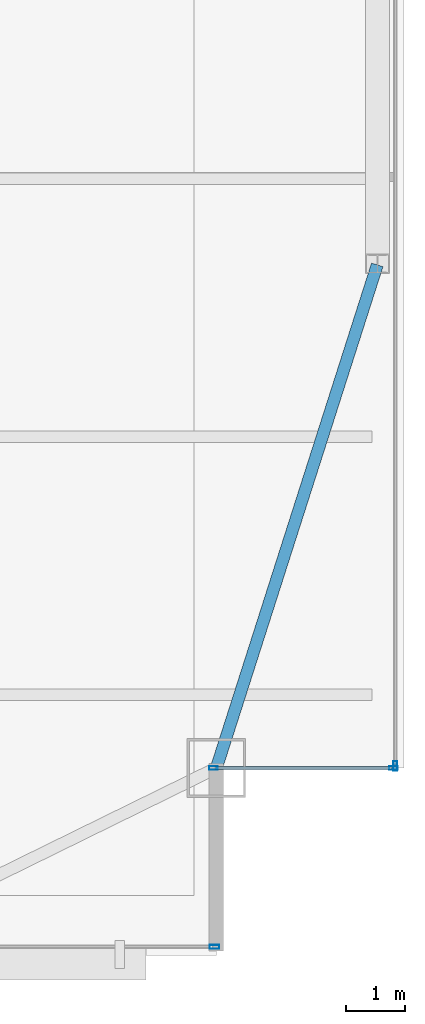
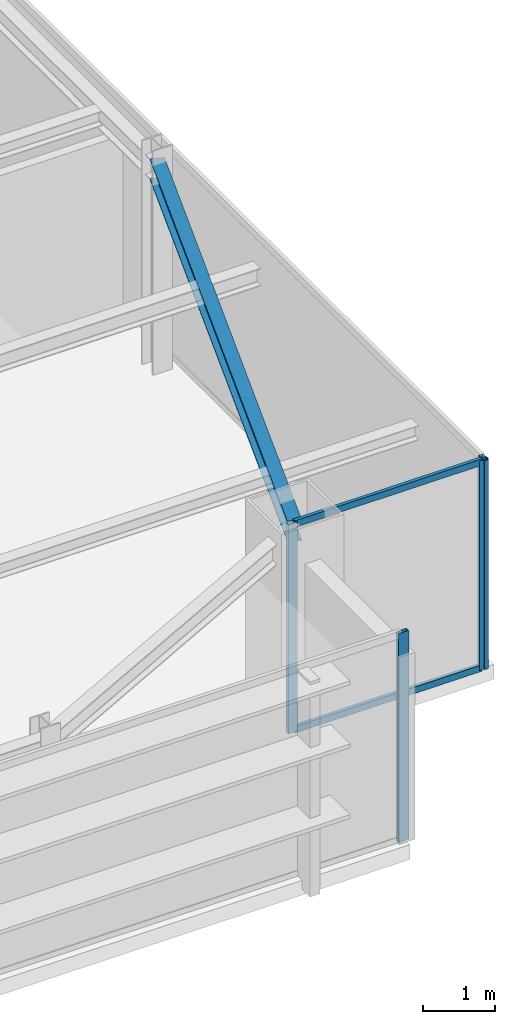
# One storey, part 14 of 24: 6 members, 1 beam, 3 elements without a shape of their own.
"""IFC4 building model written with IfcOpenShell, lengths in metres."""

from ifc_helpers import new_model, si_unit, direction, frame, origin, origin_2d, place, context, subcontext, project, spatial, hollow_rectangle, i_section, extrude, source, transform, mapped, material, layer, layer_set, material_profile, profile_set, type_object, type_shapes, element, aggregate, save


model = new_model("IFC4")

# Units and contexts
model_context = context("Model", 3, precision=1e-05, world=origin(), true_north=direction((0.0, 1.0)))
body_context = subcontext(model_context, "Body", "Model", "MODEL_VIEW")
ifc_project = project(units=[si_unit("LENGTHUNIT", "METRE"), si_unit("AREAUNIT", "SQUARE_METRE"), si_unit("VOLUMEUNIT", "CUBIC_METRE"), si_unit("PLANEANGLEUNIT", "RADIAN"), si_unit("MASSUNIT", "GRAM", prefix="KILO")], contexts=[model_context])

# Site, building, storey
site_placement = place(None, origin())
site = spatial("IfcSite", under=ifc_project, at=site_placement, CompositionType="ELEMENT")
building_placement = place(site_placement, origin())
building = spatial("IfcBuilding", under=site, at=building_placement, Name="Varnel Quay Broadcast Tower", CompositionType="ELEMENT")
storey_placement = place(building_placement, frame((0.0, 0.0, 277.39990234375)))
storey = spatial("IfcBuildingStorey", under=building, at=storey_placement, Name="L69", CompositionType="ELEMENT", Elevation=277.39990234375)

# Beam
ifc_material_1 = material(Name="Structural Steel CSA G40.21 350W", Category="steel")
ifc_material_profile_1 = material_profile(ifc_material_1, i_section(OverallWidth=0.205078125, OverallDepth=0.35400390625, WebThickness=0.009521484375, FlangeThickness=0.016845703125, FilletRadius=0.012939453125, at=origin_2d()), Name="W360X79")
ifc_profile_set_1 = profile_set([ifc_material_profile_1], Name="Structural Steel CSA G40.21 350W")
beam_type = type_object("IfcBeamType", Name="Beam_W360X79", PredefinedType="SPANDREL", material=ifc_profile_set_1)
shared_shape_1 = source(origin(), body_context, "Body", "SweptSolid", [
    extrude(i_section(OverallWidth=0.205078125, OverallDepth=0.35400390625, WebThickness=0.009521484375, FlangeThickness=0.016845703125, FilletRadius=0.012939453125, at=origin_2d()), origin(), (0.0, 0.0, 1.0), 8.989013671875),
])
type_shapes(beam_type, [shared_shape_1])
beam_placement = place(storey_placement, frame((52.80615234375, 16.4189453125, 3.373046875), z_axis=(0.304568770162, 0.952490348635, 0.0), x_axis=(-0.952490348635, 0.304568770162, 0.0)))
element("IfcBeam", 1, at=beam_placement, inside=storey, type_object=beam_type, Name="L69 East Spandrel MC-SE-TC-E1", PredefinedType="SPANDREL", context=body_context, shape_type="MappedRepresentation", body=[
    mapped(shared_shape_1, transform((0.0, 0.0, 0.0), x_axis=(1.0, 0.0, 0.0), y_axis=(0.0, 1.0, 0.0), z_axis=(0.0, 0.0, 1.0), scale=1.0)),
])

# Curtain wall, members
ifc_material_2 = material(Name="Anodised Bronze Aluminium 6063-T6", Category="aluminium")
ifc_layer_1 = layer(ifc_material_2, 0.18994140625, Name="Anodised Bronze Aluminium 6063-T6")
ifc_layer_set_1 = layer_set([ifc_layer_1], Name="Anodised Bronze Aluminium 6063-T6")
curtain_wall_type_1 = type_object("IfcCurtainWallType", Name="CW_NotchCorner", PredefinedType="NOTDEFINED", material=ifc_layer_set_1)
curtain_wall_1_placement = place(storey_placement, origin())
curtain_wall_1 = element("IfcCurtainWall", 2, at=curtain_wall_1_placement, inside=storey, type_object=curtain_wall_type_1, Name="L69 SE Notch Curtain Wall", PredefinedType="NOTDEFINED")
ifc_material_profile_2 = material_profile(ifc_material_2, hollow_rectangle(XDim=0.06005859375, YDim=0.14501953125, WallThickness=0.00341796875, at=origin_2d()), Name="ALU60X145X3.5")
ifc_profile_set_2 = profile_set([ifc_material_profile_2], Name="Anodised Bronze Aluminium 6063-T6")
member_type_1 = type_object("IfcMemberType", Name="Mull_CWS-04", PredefinedType="MULLION", material=ifc_profile_set_2)
shared_shape_2 = source(origin(), body_context, "Body", "SweptSolid", [
    extrude(hollow_rectangle(XDim=0.06005859375, YDim=0.14501953125, WallThickness=0.00341796875, at=origin_2d()), origin(), (0.0, 0.0, 1.0), 3.550048828125),
])
type_shapes(member_type_1, [shared_shape_2])
member_1_placement = place(storey_placement, frame((52.75, 16.39990234375, 0.0), z_axis=(0.0, 0.0, 1.0), x_axis=(0.0, 1.0, 0.0)))
member_1 = element("IfcMember", 3, at=member_1_placement, type_object=member_type_1, Name="CWS-04 mullion 1", PredefinedType="MULLION", context=body_context, shape_type="MappedRepresentation", body=[
    mapped(shared_shape_2, transform((0.0, 0.0, 0.0), x_axis=(1.0, 0.0, 0.0), y_axis=(0.0, 1.0, 0.0), z_axis=(0.0, 0.0, 1.0), scale=1.0)),
])
member_2_placement = place(storey_placement, frame((55.820068359375, 16.39990234375, 0.0), z_axis=(0.0, 0.0, 1.0), x_axis=(0.0, 1.0, 0.0)))
member_2 = element("IfcMember", 4, at=member_2_placement, type_object=member_type_1, Name="CWS-04 mullion 2", PredefinedType="MULLION", context=body_context, shape_type="MappedRepresentation", body=[
    mapped(shared_shape_2, transform((0.0, 0.0, 0.0), x_axis=(1.0, 0.0, 0.0), y_axis=(0.0, 1.0, 0.0), z_axis=(0.0, 0.0, 1.0), scale=1.0)),
])

# Curtain wall, member
ifc_layer_2 = layer(ifc_material_2, 0.18994140625, Name="Anodised Bronze Aluminium 6063-T6")
ifc_layer_set_2 = layer_set([ifc_layer_2], Name="Anodised Bronze Aluminium 6063-T6")
curtain_wall_type_2 = type_object("IfcCurtainWallType", Name="CW_UpperTower", PredefinedType="NOTDEFINED", material=ifc_layer_set_2)
curtain_wall_2_placement = place(storey_placement, origin())
curtain_wall_2 = element("IfcCurtainWall", 5, at=curtain_wall_2_placement, inside=storey, type_object=curtain_wall_type_2, Name="L69 South Unitised Curtain Wall 1", PredefinedType="NOTDEFINED")
ifc_material_profile_3 = material_profile(ifc_material_2, hollow_rectangle(XDim=0.06494140625, YDim=0.1650390625, WallThickness=0.00341796875, at=origin_2d()), Name="ALU65X165X3.5")
ifc_profile_set_3 = profile_set([ifc_material_profile_3], Name="Anodised Bronze Aluminium 6063-T6")
member_type_2 = type_object("IfcMemberType", Name="Mull_CWS-03", PredefinedType="MULLION", material=ifc_profile_set_3)
shared_shape_3 = source(origin(), body_context, "Body", "SweptSolid", [
    extrude(hollow_rectangle(XDim=0.06494140625, YDim=0.1650390625, WallThickness=0.00341796875, at=origin_2d()), origin(), (0.0, 0.0, 1.0), 3.550048828125),
])
type_shapes(member_type_2, [shared_shape_3])
member_3_placement = place(storey_placement, frame((52.767578125, 13.35009765625, 0.0), z_axis=(0.0, 0.0, 1.0), x_axis=(0.0, 1.0, 0.0)))
member_3 = element("IfcMember", 6, at=member_3_placement, type_object=member_type_2, Name="CWS-03 mullion 4", PredefinedType="MULLION", context=body_context, shape_type="MappedRepresentation", body=[
    mapped(shared_shape_3, transform((0.0, 0.0, 0.0), x_axis=(1.0, 0.0, 0.0), y_axis=(0.0, 1.0, 0.0), z_axis=(0.0, 0.0, 1.0), scale=1.0)),
])
aggregate(curtain_wall_2, [member_3])

curtain_wall_3_placement = place(storey_placement, origin())
curtain_wall_3 = element("IfcCurtainWall", 7, at=curtain_wall_3_placement, inside=storey, type_object=curtain_wall_type_2, Name="L69 East Unitised Curtain Wall", PredefinedType="NOTDEFINED")
member_4_placement = place(storey_placement, frame((55.85009765625, 16.4326171875, 0.0), z_axis=(0.0, 0.0, 1.0), x_axis=(-1.0, 0.0, 0.0)))
member_4 = element("IfcMember", 8, at=member_4_placement, type_object=member_type_2, Name="CWS-03 mullion 1", PredefinedType="MULLION", context=body_context, shape_type="MappedRepresentation", body=[
    mapped(shared_shape_3, transform((0.0, 0.0, 0.0), x_axis=(1.0, 0.0, 0.0), y_axis=(0.0, 1.0, 0.0), z_axis=(0.0, 0.0, 1.0), scale=1.0)),
])
aggregate(curtain_wall_3, [member_4])

# Member
ifc_material_profile_4 = material_profile(ifc_material_2, hollow_rectangle(XDim=0.054931640625, YDim=0.110107421875, WallThickness=0.0029296875, at=origin_2d()), Name="ALU55X110X3")
ifc_profile_set_4 = profile_set([ifc_material_profile_4], Name="Anodised Bronze Aluminium 6063-T6")
member_type_3 = type_object("IfcMemberType", Name="Tran_CWS-04", PredefinedType="USERDEFINED", material=ifc_profile_set_4)
shared_shape_4 = source(origin(), body_context, "Body", "SweptSolid", [
    extrude(hollow_rectangle(XDim=0.054931640625, YDim=0.110107421875, WallThickness=0.0029296875, at=origin_2d()), origin(), (0.0, 0.0, 1.0), 3.010009765625),
])
type_shapes(member_type_3, [shared_shape_4])
member_5_placement = place(storey_placement, frame((52.780029296875, 16.39990234375, 0.027587890625), z_axis=(1.0, 0.0, 0.0), x_axis=(0.0, 1.0, 0.0)))
member_5 = element("IfcMember", 9, at=member_5_placement, type_object=member_type_3, Name="CWS-04 transom 1.1", ObjectType="TRANSOM", PredefinedType="USERDEFINED", context=body_context, shape_type="MappedRepresentation", body=[
    mapped(shared_shape_4, transform((0.0, 0.0, 0.0), x_axis=(1.0, 0.0, 0.0), y_axis=(0.0, 1.0, 0.0), z_axis=(0.0, 0.0, 1.0), scale=1.0)),
])

member_6_placement = place(storey_placement, frame((52.780029296875, 16.39990234375, 3.522705078125), z_axis=(1.0, 0.0, 0.0), x_axis=(0.0, 1.0, 0.0)))
member_6 = element("IfcMember", 10, at=member_6_placement, type_object=member_type_3, Name="CWS-04 transom 1.2", ObjectType="TRANSOM", PredefinedType="USERDEFINED", context=body_context, shape_type="MappedRepresentation", body=[
    mapped(shared_shape_4, transform((0.0, 0.0, 0.0), x_axis=(1.0, 0.0, 0.0), y_axis=(0.0, 1.0, 0.0), z_axis=(0.0, 0.0, 1.0), scale=1.0)),
])

aggregate(curtain_wall_1, [member_1, member_2, member_5, member_6])

save(model, "model.ifc")
